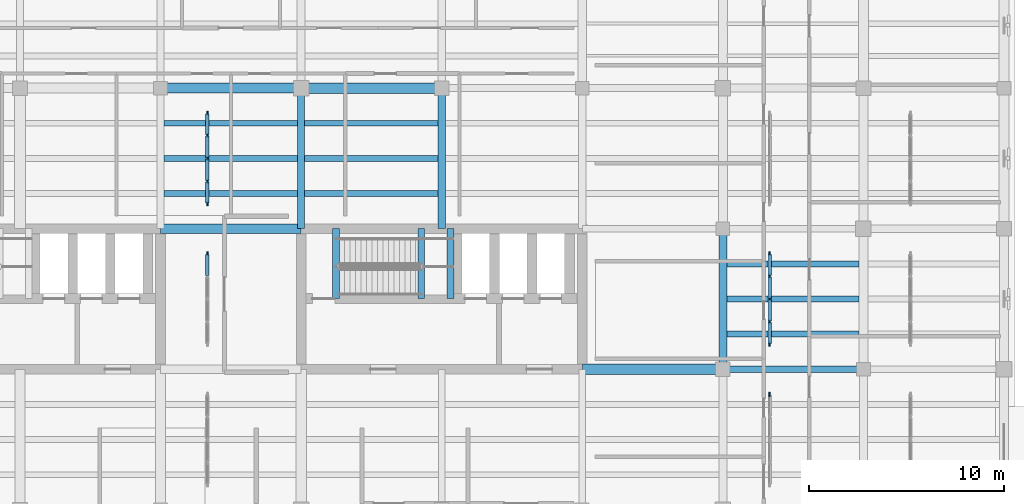
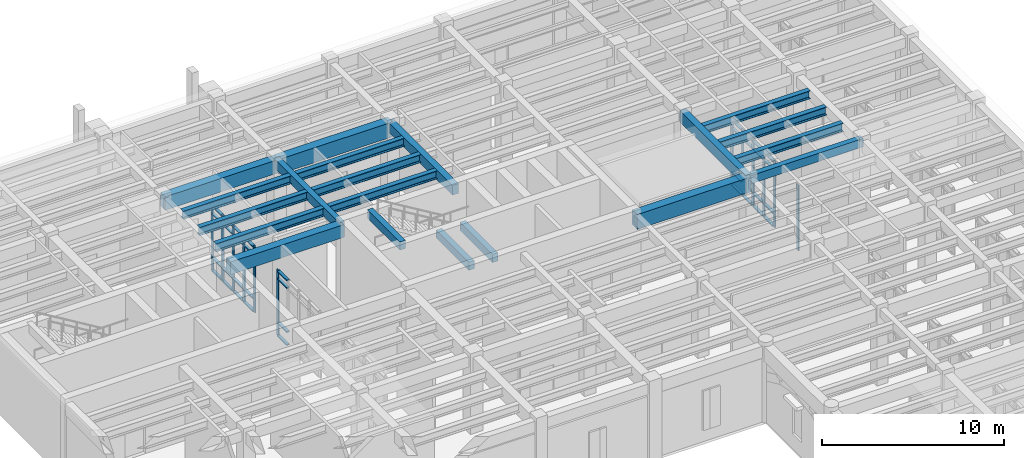
# One storey, part 46 of 100: 48 members, 20 beams, 4 elements without a shape of their own.
"""IFC4 building model written with IfcOpenShell, lengths in metres."""

from ifc_helpers import new_model, si_unit, direction, frame, origin, origin_2d, place, context, subcontext, project, spatial, rectangle, i_section, extrude, material, material_profile, profile_set, type_object, element, aggregate, save


model = new_model("IFC4")

# Units and contexts
model_context = context("Model", 3, precision=1e-05, world=origin(), true_north=direction((0.0, 1.0)))
body_context = subcontext(model_context, "Body", "Model", "MODEL_VIEW")
ifc_project = project(units=[si_unit("LENGTHUNIT", "METRE"), si_unit("AREAUNIT", "SQUARE_METRE"), si_unit("VOLUMEUNIT", "CUBIC_METRE"), si_unit("PLANEANGLEUNIT", "RADIAN"), si_unit("MASSUNIT", "GRAM", prefix="KILO")], contexts=[model_context])

# Site, building, storey
site_placement = place(None, origin())
site = spatial("IfcSite", under=ifc_project, at=site_placement, CompositionType="ELEMENT")
building_placement = place(site_placement, origin())
building = spatial("IfcBuilding", under=site, at=building_placement, Name="Mithqara Police Headquarters", CompositionType="ELEMENT")
storey_placement = place(building_placement, origin())
storey = spatial("IfcBuildingStorey", under=building, at=storey_placement, Name="L00", CompositionType="ELEMENT", Elevation=0.0)

# Beams
ifc_material_1 = material(Name="Steel S355JR", Category="steel")
ifc_material_profile_1 = material_profile(ifc_material_1, i_section(OverallWidth=0.300048828125, OverallDepth=0.550048828125, WebThickness=0.014892578125, FlangeThickness=0.029052734375, FilletRadius=0.027099609375, at=origin_2d()), Name="HEB 550")
ifc_profile_set_1 = profile_set([ifc_material_profile_1], Name="Steel S355JR")
beam_type_1 = type_object("IfcBeamType", Name="BEAM HEB550", PredefinedType="BEAM", material=ifc_profile_set_1)
for number, where, z_axis, x_axis, name in (
    (1, (123.175048828125, 102.0, 4.844970703125), (1.0, 0.0, 0.0), (0.0, 1.0, 0.0), "L00 Composite Steel Joist 18-19/Q.1"),
    (2, (123.175048828125, 103.800048828125, 4.844970703125), (1.0, 0.0, 0.0), (0.0, 1.0, 0.0), "L00 Composite Steel Joist 18-19/Q.2"),
    (3, (123.175048828125, 105.60009765625, 4.844970703125), (1.0, 0.0, 0.0), (0.0, 1.0, 0.0), "L00 Composite Steel Joist 18-19/Q.3"),
):
    element("IfcBeam", number, at=place(storey_placement, frame(where, z_axis=z_axis, x_axis=x_axis)), inside=storey, type_object=beam_type_1, Name=name, PredefinedType="BEAM", context=body_context, shape_type="SweptSolid", body=[
        extrude(i_section(OverallWidth=0.300048828125, OverallDepth=0.550048828125, WebThickness=0.014892578125, FlangeThickness=0.029052734375, FilletRadius=0.027099609375, at=origin_2d()), origin(), (0.0, 0.0, 1.0), 6.849853515625),
    ])
for number, where, z_axis, x_axis, name in (
    (4, (130.375, 102.0, 4.844970703125), (1.0, 0.0, 0.0), (0.0, 1.0, 0.0), "L00 Composite Steel Joist 19-20/Q.1"),
    (5, (130.375, 103.800048828125, 4.844970703125), (1.0, 0.0, 0.0), (0.0, 1.0, 0.0), "L00 Composite Steel Joist 19-20/Q.2"),
    (6, (130.375, 105.60009765625, 4.844970703125), (1.0, 0.0, 0.0), (0.0, 1.0, 0.0), "L00 Composite Steel Joist 19-20/Q.3"),
):
    element("IfcBeam", number, at=place(storey_placement, frame(where, z_axis=z_axis, x_axis=x_axis)), inside=storey, type_object=beam_type_1, Name=name, PredefinedType="BEAM", context=body_context, shape_type="SweptSolid", body=[
        extrude(i_section(OverallWidth=0.300048828125, OverallDepth=0.550048828125, WebThickness=0.014892578125, FlangeThickness=0.029052734375, FilletRadius=0.027099609375, at=origin_2d()), origin(), (0.0, 0.0, 1.0), 6.824951171875),
    ])
for number, where, z_axis, x_axis, name in (
    (7, (152.0, 94.800048828125, 4.844970703125), (1.0, 0.0, 0.0), (0.0, 1.0, 0.0), "L00 Composite Steel Joist 22-23/P.1"),
    (8, (152.0, 96.60009765625, 4.844970703125), (1.0, 0.0, 0.0), (0.0, 1.0, 0.0), "L00 Composite Steel Joist 22-23/P.2"),
    (9, (152.0, 98.39990234375, 4.844970703125), (1.0, 0.0, 0.0), (0.0, 1.0, 0.0), "L00 Composite Steel Joist 22-23/P.3"),
):
    element("IfcBeam", number, at=place(storey_placement, frame(where, z_axis=z_axis, x_axis=x_axis)), inside=storey, type_object=beam_type_1, Name=name, PredefinedType="BEAM", context=body_context, shape_type="SweptSolid", body=[
        extrude(i_section(OverallWidth=0.300048828125, OverallDepth=0.550048828125, WebThickness=0.014892578125, FlangeThickness=0.029052734375, FilletRadius=0.027099609375, at=origin_2d()), origin(), (0.0, 0.0, 1.0), 6.77490234375),
    ])
ifc_material_2 = material(Name="Concrete C40/50", Category="concrete")
ifc_material_profile_2 = material_profile(ifc_material_2, rectangle(XDim=0.35009765625, YDim=0.550048828125, at=origin_2d()), Name="RC 350x550")
ifc_profile_set_2 = profile_set([ifc_material_profile_2], Name="Concrete C40/50")
beam_type_2 = type_object("IfcBeamType", Name="BEAM RC350X550", PredefinedType="BEAM", material=ifc_profile_set_2)
beam_1_placement = place(storey_placement, frame((151.800048828125, 93.0, 4.844970703125), z_axis=(1.0, 0.0, 0.0), x_axis=(0.0, 1.0, 0.0)))
element("IfcBeam", 10, at=beam_1_placement, inside=storey, type_object=beam_type_2, Name="L00 Girder 22-23/P", PredefinedType="BEAM", context=body_context, shape_type="SweptSolid", body=[
    extrude(rectangle(XDim=0.35009765625, YDim=0.550048828125, at=origin_2d()), origin(), (0.0, 0.0, 1.0), 7.199951171875),
])
for number, where, z_axis, x_axis, name in (
    (11, (136.35009765625, 96.6201171875, 2.235107421875), (0.0, 1.0, 0.0), (-1.0, 0.0, 0.0), "L00 ST-02 Half-Landing Bearer LF"),
    (12, (137.85009765625, 96.6201171875, 2.235107421875), (0.0, 1.0, 0.0), (-1.0, 0.0, 0.0), "L00 ST-02 Half-Landing Bearer LB"),
    (13, (131.97705078125, 96.6201171875, 5.125), (0.0, 1.0, 0.0), (-1.0, 0.0, 0.0), "L00 ST-02 Stairwell Trimmer Beam"),
):
    element("IfcBeam", number, at=place(storey_placement, frame(where, z_axis=z_axis, x_axis=x_axis)), inside=storey, type_object=beam_type_2, Name=name, PredefinedType="BEAM", context=body_context, shape_type="SweptSolid", body=[
        extrude(rectangle(XDim=0.35009765625, YDim=0.550048828125, at=origin_2d()), origin(), (0.0, 0.0, 1.0), 3.579833984375),
    ])
ifc_material_profile_3 = material_profile(ifc_material_2, rectangle(XDim=0.35009765625, YDim=0.60009765625, at=origin_2d()), Name="RC 350x600")
ifc_profile_set_3 = profile_set([ifc_material_profile_3], Name="Concrete C40/50")
beam_type_3 = type_object("IfcBeamType", Name="BEAM RC350X600", PredefinedType="BEAM", material=ifc_profile_set_3)
beam_2_placement = place(storey_placement, frame((130.199951171875, 100.199951171875, 4.820068359375), z_axis=(0.0, 1.0, 0.0), x_axis=(-1.0, 0.0, 0.0)))
element("IfcBeam", 14, at=beam_2_placement, inside=storey, type_object=beam_type_3, Name="L00 Girder 19/Q-R", PredefinedType="BEAM", context=body_context, shape_type="SweptSolid", body=[
    extrude(rectangle(XDim=0.35009765625, YDim=0.60009765625, at=origin_2d()), origin(), (0.0, 0.0, 1.0), 7.199951171875),
])
ifc_material_profile_4 = material_profile(ifc_material_2, rectangle(XDim=0.39990234375, YDim=0.64990234375, at=origin_2d()), Name="RC 400x650")
ifc_profile_set_4 = profile_set([ifc_material_profile_4], Name="Concrete C40/50")
beam_type_4 = type_object("IfcBeamType", Name="BEAM RC400X650", PredefinedType="BEAM", material=ifc_profile_set_4)
beam_3_placement = place(storey_placement, frame((137.39990234375, 100.199951171875, 4.794921875), z_axis=(0.0, 1.0, 0.0), x_axis=(-1.0, 0.0, 0.0)))
element("IfcBeam", 15, at=beam_3_placement, inside=storey, type_object=beam_type_4, Name="L00 Girder 20/Q-R", PredefinedType="BEAM", context=body_context, shape_type="SweptSolid", body=[
    extrude(rectangle(XDim=0.39990234375, YDim=0.64990234375, at=origin_2d()), origin(), (0.0, 0.0, 1.0), 7.199951171875),
])
ifc_material_profile_5 = material_profile(ifc_material_2, rectangle(XDim=0.39990234375, YDim=0.75, at=origin_2d()), Name="RC 400x750")
ifc_profile_set_5 = profile_set([ifc_material_profile_5], Name="Concrete C40/50")
beam_type_5 = type_object("IfcBeamType", Name="BEAM RC400X750", PredefinedType="BEAM", material=ifc_profile_set_5)
beam_4_placement = place(storey_placement, frame((151.800048828125, 93.0, 4.7451171875), z_axis=(0.0, 1.0, 0.0), x_axis=(-1.0, 0.0, 0.0)))
element("IfcBeam", 16, at=beam_4_placement, inside=storey, type_object=beam_type_5, Name="L00 Girder 22/P-Q", PredefinedType="BEAM", context=body_context, shape_type="SweptSolid", body=[
    extrude(rectangle(XDim=0.39990234375, YDim=0.75, at=origin_2d()), origin(), (0.0, 0.0, 1.0), 7.199951171875),
])
ifc_material_profile_6 = material_profile(ifc_material_2, rectangle(XDim=0.5, YDim=0.85009765625, at=origin_2d()), Name="RC 500x850")
ifc_profile_set_6 = profile_set([ifc_material_profile_6], Name="Concrete C40/50")
beam_type_6 = type_object("IfcBeamType", Name="BEAM RC500X850", PredefinedType="BEAM", material=ifc_profile_set_6)
beam_5_placement = place(storey_placement, frame((123.0, 100.199951171875, 4.695068359375), z_axis=(1.0, 0.0, 0.0), x_axis=(0.0, 1.0, 0.0)))
element("IfcBeam", 17, at=beam_5_placement, inside=storey, type_object=beam_type_6, Name="L00 Girder 18-19/Q", PredefinedType="BEAM", context=body_context, shape_type="SweptSolid", body=[
    extrude(rectangle(XDim=0.5, YDim=0.85009765625, at=origin_2d()), origin(), (0.0, 0.0, 1.0), 7.199951171875),
])
ifc_material_3 = material(Name="Concrete C50/60", Category="concrete")
ifc_material_profile_7 = material_profile(ifc_material_3, rectangle(XDim=0.5, YDim=0.89990234375, at=origin_2d()), Name="RC 500x900")
ifc_profile_set_7 = profile_set([ifc_material_profile_7], Name="Concrete C50/60")
beam_type_7 = type_object("IfcBeamType", Name="BEAM RC500X900", PredefinedType="BEAM", material=ifc_profile_set_7)
beam_6_placement = place(storey_placement, frame((123.0, 107.39990234375, 4.669921875), z_axis=(1.0, 0.0, 0.0), x_axis=(0.0, 1.0, 0.0)))
element("IfcBeam", 18, at=beam_6_placement, inside=storey, type_object=beam_type_7, Name="L00 Girder 18-19/R", PredefinedType="BEAM", context=body_context, shape_type="SweptSolid", body=[
    extrude(rectangle(XDim=0.5, YDim=0.89990234375, at=origin_2d()), origin(), (0.0, 0.0, 1.0), 7.199951171875),
])
ifc_material_profile_8 = material_profile(ifc_material_3, rectangle(XDim=0.550048828125, YDim=1.0, at=origin_2d()), Name="RC 550x1000")
ifc_profile_set_8 = profile_set([ifc_material_profile_8], Name="Concrete C50/60")
beam_type_8 = type_object("IfcBeamType", Name="BEAM RC550X1000", PredefinedType="BEAM", material=ifc_profile_set_8)
for number, where, z_axis, x_axis, name in (
    (19, (130.199951171875, 107.39990234375, 4.6201171875), (1.0, 0.0, 0.0), (0.0, 1.0, 0.0), "L00 Girder 19-20/R"),
    (20, (144.60009765625, 93.0, 4.6201171875), (1.0, 0.0, 0.0), (0.0, 1.0, 0.0), "L00 Girder 21-22/P"),
):
    element("IfcBeam", number, at=place(storey_placement, frame(where, z_axis=z_axis, x_axis=x_axis)), inside=storey, type_object=beam_type_8, Name=name, PredefinedType="BEAM", context=body_context, shape_type="SweptSolid", body=[
        extrude(rectangle(XDim=0.550048828125, YDim=1.0, at=origin_2d()), origin(), (0.0, 0.0, 1.0), 7.199951171875),
    ])

# Curtain wall, member
ifc_material_4 = material(Name="Bronze anodised aluminium 6063-T6", Category="aluminium")
curtain_wall_type = type_object("IfcCurtainWallType", Name="CURTAIN WALL 4700X4400", PredefinedType="USERDEFINED", material=ifc_material_4)
curtain_wall_1_placement = place(storey_placement, origin())
curtain_wall_1 = element("IfcCurtainWall", 21, at=curtain_wall_1_placement, inside=storey, type_object=curtain_wall_type, Name="L00 Unitised Glazing CW-14 (CW-INT-L00-X17-Y13-0)", ObjectType="UNITISED GLAZING", PredefinedType="USERDEFINED")
ifc_material_profile_9 = material_profile(ifc_material_4, rectangle(XDim=0.074951171875, YDim=0.219970703125, at=origin_2d()), Name="CWM 75x220")
ifc_profile_set_9 = profile_set([ifc_material_profile_9], Name="Bronze anodised aluminium 6063-T6")
member_type_1 = type_object("IfcMemberType", Name="CWMULLION 75X220", PredefinedType="MULLION", material=ifc_profile_set_9)
member_1_placement = place(storey_placement, frame((125.39990234375, 98.91259765625, 0.0), z_axis=(0.0, 0.0, 1.0), x_axis=(-1.0, 0.0, 0.0)))
member_1 = element("IfcMember", 22, at=member_1_placement, type_object=member_type_1, Name="CW-14 mullion 5", PredefinedType="MULLION", context=body_context, shape_type="SweptSolid", body=[
    extrude(rectangle(XDim=0.074951171875, YDim=0.219970703125, at=origin_2d()), origin(), (0.0, 0.0, 1.0), 4.39990234375),
])

# Curtain wall, members
curtain_wall_2_placement = place(storey_placement, origin())
curtain_wall_2 = element("IfcCurtainWall", 23, at=curtain_wall_2_placement, inside=storey, type_object=curtain_wall_type, Name="L00 Unitised Glazing CW-14 (CW-INT-L00-X17-Y14-0)", ObjectType="UNITISED GLAZING", PredefinedType="USERDEFINED")
member_2_placement = place(storey_placement, frame((125.39990234375, 101.487548828125, 0.0), z_axis=(0.0, 0.0, 1.0), x_axis=(-1.0, 0.0, 0.0)))
member_2 = element("IfcMember", 24, at=member_2_placement, type_object=member_type_1, Name="CW-14 mullion 1", PredefinedType="MULLION", context=body_context, shape_type="SweptSolid", body=[
    extrude(rectangle(XDim=0.074951171875, YDim=0.219970703125, at=origin_2d()), origin(), (0.0, 0.0, 1.0), 4.39990234375),
])
member_3_placement = place(storey_placement, frame((125.39990234375, 102.625, 0.0), z_axis=(0.0, 0.0, 1.0), x_axis=(-1.0, 0.0, 0.0)))
member_3 = element("IfcMember", 25, at=member_3_placement, type_object=member_type_1, Name="CW-14 mullion 2", PredefinedType="MULLION", context=body_context, shape_type="SweptSolid", body=[
    extrude(rectangle(XDim=0.074951171875, YDim=0.219970703125, at=origin_2d()), origin(), (0.0, 0.0, 1.0), 4.39990234375),
])
member_4_placement = place(storey_placement, frame((125.39990234375, 103.800048828125, 0.0), z_axis=(0.0, 0.0, 1.0), x_axis=(-1.0, 0.0, 0.0)))
member_4 = element("IfcMember", 26, at=member_4_placement, type_object=member_type_1, Name="CW-14 mullion 3", PredefinedType="MULLION", context=body_context, shape_type="SweptSolid", body=[
    extrude(rectangle(XDim=0.074951171875, YDim=0.219970703125, at=origin_2d()), origin(), (0.0, 0.0, 1.0), 4.39990234375),
])
member_5_placement = place(storey_placement, frame((125.39990234375, 104.97509765625, 0.0), z_axis=(0.0, 0.0, 1.0), x_axis=(-1.0, 0.0, 0.0)))
member_5 = element("IfcMember", 27, at=member_5_placement, type_object=member_type_1, Name="CW-14 mullion 4", PredefinedType="MULLION", context=body_context, shape_type="SweptSolid", body=[
    extrude(rectangle(XDim=0.074951171875, YDim=0.219970703125, at=origin_2d()), origin(), (0.0, 0.0, 1.0), 4.39990234375),
])
member_6_placement = place(storey_placement, frame((125.39990234375, 106.112548828125, 0.0), z_axis=(0.0, 0.0, 1.0), x_axis=(-1.0, 0.0, 0.0)))
member_6 = element("IfcMember", 28, at=member_6_placement, type_object=member_type_1, Name="CW-14 mullion 5", PredefinedType="MULLION", context=body_context, shape_type="SweptSolid", body=[
    extrude(rectangle(XDim=0.074951171875, YDim=0.219970703125, at=origin_2d()), origin(), (0.0, 0.0, 1.0), 4.39990234375),
])

# Curtain wall, member
curtain_wall_3_placement = place(storey_placement, origin())
curtain_wall_3 = element("IfcCurtainWall", 29, at=curtain_wall_3_placement, inside=storey, type_object=curtain_wall_type, Name="L00 Unitised Glazing CW-14 (CW-INT-L00-X21-Y12-0)", ObjectType="UNITISED GLAZING", PredefinedType="USERDEFINED")
member_7_placement = place(storey_placement, frame((154.199951171875, 91.71240234375, 0.0), z_axis=(0.0, 0.0, 1.0), x_axis=(-1.0, 0.0, 0.0)))
member_7 = element("IfcMember", 30, at=member_7_placement, type_object=member_type_1, Name="CW-14 mullion 5", PredefinedType="MULLION", context=body_context, shape_type="SweptSolid", body=[
    extrude(rectangle(XDim=0.074951171875, YDim=0.219970703125, at=origin_2d()), origin(), (0.0, 0.0, 1.0), 4.39990234375),
])
aggregate(curtain_wall_3, [member_7])

# Curtain wall, members
curtain_wall_4_placement = place(storey_placement, origin())
curtain_wall_4 = element("IfcCurtainWall", 31, at=curtain_wall_4_placement, inside=storey, type_object=curtain_wall_type, Name="L00 Unitised Glazing CW-14 (CW-INT-L00-X21-Y13-0)", ObjectType="UNITISED GLAZING", PredefinedType="USERDEFINED")
member_8_placement = place(storey_placement, frame((154.199951171875, 94.28759765625, 0.0), z_axis=(0.0, 0.0, 1.0), x_axis=(-1.0, 0.0, 0.0)))
member_8 = element("IfcMember", 32, at=member_8_placement, type_object=member_type_1, Name="CW-14 mullion 1", PredefinedType="MULLION", context=body_context, shape_type="SweptSolid", body=[
    extrude(rectangle(XDim=0.074951171875, YDim=0.219970703125, at=origin_2d()), origin(), (0.0, 0.0, 1.0), 4.39990234375),
])
member_9_placement = place(storey_placement, frame((154.199951171875, 95.425048828125, 0.0), z_axis=(0.0, 0.0, 1.0), x_axis=(-1.0, 0.0, 0.0)))
member_9 = element("IfcMember", 33, at=member_9_placement, type_object=member_type_1, Name="CW-14 mullion 2", PredefinedType="MULLION", context=body_context, shape_type="SweptSolid", body=[
    extrude(rectangle(XDim=0.074951171875, YDim=0.219970703125, at=origin_2d()), origin(), (0.0, 0.0, 1.0), 4.39990234375),
])
member_10_placement = place(storey_placement, frame((154.199951171875, 96.60009765625, 0.0), z_axis=(0.0, 0.0, 1.0), x_axis=(-1.0, 0.0, 0.0)))
member_10 = element("IfcMember", 34, at=member_10_placement, type_object=member_type_1, Name="CW-14 mullion 3", PredefinedType="MULLION", context=body_context, shape_type="SweptSolid", body=[
    extrude(rectangle(XDim=0.074951171875, YDim=0.219970703125, at=origin_2d()), origin(), (0.0, 0.0, 1.0), 4.39990234375),
])
member_11_placement = place(storey_placement, frame((154.199951171875, 97.77490234375, 0.0), z_axis=(0.0, 0.0, 1.0), x_axis=(-1.0, 0.0, 0.0)))
member_11 = element("IfcMember", 35, at=member_11_placement, type_object=member_type_1, Name="CW-14 mullion 4", PredefinedType="MULLION", context=body_context, shape_type="SweptSolid", body=[
    extrude(rectangle(XDim=0.074951171875, YDim=0.219970703125, at=origin_2d()), origin(), (0.0, 0.0, 1.0), 4.39990234375),
])
member_12_placement = place(storey_placement, frame((154.199951171875, 98.91259765625, 0.0), z_axis=(0.0, 0.0, 1.0), x_axis=(-1.0, 0.0, 0.0)))
member_12 = element("IfcMember", 36, at=member_12_placement, type_object=member_type_1, Name="CW-14 mullion 5", PredefinedType="MULLION", context=body_context, shape_type="SweptSolid", body=[
    extrude(rectangle(XDim=0.074951171875, YDim=0.219970703125, at=origin_2d()), origin(), (0.0, 0.0, 1.0), 4.39990234375),
])

# Member
ifc_material_profile_10 = material_profile(ifc_material_4, rectangle(XDim=0.179931640625, YDim=0.074951171875, at=origin_2d()), Name="CWT 180x75")
ifc_profile_set_10 = profile_set([ifc_material_profile_10], Name="Bronze anodised aluminium 6063-T6")
member_type_2 = type_object("IfcMemberType", Name="CWTRANSOM 180X75", PredefinedType="USERDEFINED", material=ifc_profile_set_10)
member_13_placement = place(storey_placement, frame((125.39990234375, 97.8125, 0.03759765625), z_axis=(0.0, 1.0, 0.0), x_axis=(-1.0, 0.0, 0.0)))
member_13 = element("IfcMember", 37, at=member_13_placement, type_object=member_type_2, Name="CW-14 transom 4.1", ObjectType="TRANSOM", PredefinedType="USERDEFINED", context=body_context, shape_type="SweptSolid", body=[
    extrude(rectangle(XDim=0.179931640625, YDim=0.074951171875, at=origin_2d()), origin(), (0.0, 0.0, 1.0), 1.0625),
])

member_14_placement = place(storey_placement, frame((125.39990234375, 97.8125, 0.89990234375), z_axis=(0.0, 1.0, 0.0), x_axis=(-1.0, 0.0, 0.0)))
member_14 = element("IfcMember", 38, at=member_14_placement, type_object=member_type_2, Name="CW-14 transom 4.2", ObjectType="TRANSOM", PredefinedType="USERDEFINED", context=body_context, shape_type="SweptSolid", body=[
    extrude(rectangle(XDim=0.179931640625, YDim=0.074951171875, at=origin_2d()), origin(), (0.0, 0.0, 1.0), 1.0625),
])

member_15_placement = place(storey_placement, frame((125.39990234375, 97.8125, 3.85009765625), z_axis=(0.0, 1.0, 0.0), x_axis=(-1.0, 0.0, 0.0)))
member_15 = element("IfcMember", 39, at=member_15_placement, type_object=member_type_2, Name="CW-14 transom 4.3", ObjectType="TRANSOM", PredefinedType="USERDEFINED", context=body_context, shape_type="SweptSolid", body=[
    extrude(rectangle(XDim=0.179931640625, YDim=0.074951171875, at=origin_2d()), origin(), (0.0, 0.0, 1.0), 1.0625),
])

member_16_placement = place(storey_placement, frame((125.39990234375, 97.8125, 4.362548828125), z_axis=(0.0, 1.0, 0.0), x_axis=(-1.0, 0.0, 0.0)))
member_16 = element("IfcMember", 40, at=member_16_placement, type_object=member_type_2, Name="CW-14 transom 4.4", ObjectType="TRANSOM", PredefinedType="USERDEFINED", context=body_context, shape_type="SweptSolid", body=[
    extrude(rectangle(XDim=0.179931640625, YDim=0.074951171875, at=origin_2d()), origin(), (0.0, 0.0, 1.0), 1.0625),
])

aggregate(curtain_wall_1, [member_1, member_13, member_14, member_15, member_16])

member_17_placement = place(storey_placement, frame((125.39990234375, 101.52490234375, 0.03759765625), z_axis=(0.0, 1.0, 0.0), x_axis=(-1.0, 0.0, 0.0)))
member_17 = element("IfcMember", 41, at=member_17_placement, type_object=member_type_2, Name="CW-14 transom 1.1", ObjectType="TRANSOM", PredefinedType="USERDEFINED", context=body_context, shape_type="SweptSolid", body=[
    extrude(rectangle(XDim=0.179931640625, YDim=0.074951171875, at=origin_2d()), origin(), (0.0, 0.0, 1.0), 1.0625),
])

member_18_placement = place(storey_placement, frame((125.39990234375, 101.52490234375, 0.89990234375), z_axis=(0.0, 1.0, 0.0), x_axis=(-1.0, 0.0, 0.0)))
member_18 = element("IfcMember", 42, at=member_18_placement, type_object=member_type_2, Name="CW-14 transom 1.2", ObjectType="TRANSOM", PredefinedType="USERDEFINED", context=body_context, shape_type="SweptSolid", body=[
    extrude(rectangle(XDim=0.179931640625, YDim=0.074951171875, at=origin_2d()), origin(), (0.0, 0.0, 1.0), 1.0625),
])

member_19_placement = place(storey_placement, frame((125.39990234375, 101.52490234375, 3.85009765625), z_axis=(0.0, 1.0, 0.0), x_axis=(-1.0, 0.0, 0.0)))
member_19 = element("IfcMember", 43, at=member_19_placement, type_object=member_type_2, Name="CW-14 transom 1.3", ObjectType="TRANSOM", PredefinedType="USERDEFINED", context=body_context, shape_type="SweptSolid", body=[
    extrude(rectangle(XDim=0.179931640625, YDim=0.074951171875, at=origin_2d()), origin(), (0.0, 0.0, 1.0), 1.0625),
])

member_20_placement = place(storey_placement, frame((125.39990234375, 101.52490234375, 4.362548828125), z_axis=(0.0, 1.0, 0.0), x_axis=(-1.0, 0.0, 0.0)))
member_20 = element("IfcMember", 44, at=member_20_placement, type_object=member_type_2, Name="CW-14 transom 1.4", ObjectType="TRANSOM", PredefinedType="USERDEFINED", context=body_context, shape_type="SweptSolid", body=[
    extrude(rectangle(XDim=0.179931640625, YDim=0.074951171875, at=origin_2d()), origin(), (0.0, 0.0, 1.0), 1.0625),
])

member_21_placement = place(storey_placement, frame((125.39990234375, 102.66259765625, 0.03759765625), z_axis=(0.0, 1.0, 0.0), x_axis=(-1.0, 0.0, 0.0)))
member_21 = element("IfcMember", 45, at=member_21_placement, type_object=member_type_2, Name="CW-14 transom 2.1", ObjectType="TRANSOM", PredefinedType="USERDEFINED", context=body_context, shape_type="SweptSolid", body=[
    extrude(rectangle(XDim=0.179931640625, YDim=0.074951171875, at=origin_2d()), origin(), (0.0, 0.0, 1.0), 1.099853515625),
])

member_22_placement = place(storey_placement, frame((125.39990234375, 102.66259765625, 0.89990234375), z_axis=(0.0, 1.0, 0.0), x_axis=(-1.0, 0.0, 0.0)))
member_22 = element("IfcMember", 46, at=member_22_placement, type_object=member_type_2, Name="CW-14 transom 2.2", ObjectType="TRANSOM", PredefinedType="USERDEFINED", context=body_context, shape_type="SweptSolid", body=[
    extrude(rectangle(XDim=0.179931640625, YDim=0.074951171875, at=origin_2d()), origin(), (0.0, 0.0, 1.0), 1.099853515625),
])

member_23_placement = place(storey_placement, frame((125.39990234375, 102.66259765625, 3.85009765625), z_axis=(0.0, 1.0, 0.0), x_axis=(-1.0, 0.0, 0.0)))
member_23 = element("IfcMember", 47, at=member_23_placement, type_object=member_type_2, Name="CW-14 transom 2.3", ObjectType="TRANSOM", PredefinedType="USERDEFINED", context=body_context, shape_type="SweptSolid", body=[
    extrude(rectangle(XDim=0.179931640625, YDim=0.074951171875, at=origin_2d()), origin(), (0.0, 0.0, 1.0), 1.099853515625),
])

member_24_placement = place(storey_placement, frame((125.39990234375, 102.66259765625, 4.362548828125), z_axis=(0.0, 1.0, 0.0), x_axis=(-1.0, 0.0, 0.0)))
member_24 = element("IfcMember", 48, at=member_24_placement, type_object=member_type_2, Name="CW-14 transom 2.4", ObjectType="TRANSOM", PredefinedType="USERDEFINED", context=body_context, shape_type="SweptSolid", body=[
    extrude(rectangle(XDim=0.179931640625, YDim=0.074951171875, at=origin_2d()), origin(), (0.0, 0.0, 1.0), 1.099853515625),
])

member_25_placement = place(storey_placement, frame((125.39990234375, 103.83740234375, 0.03759765625), z_axis=(0.0, 1.0, 0.0), x_axis=(-1.0, 0.0, 0.0)))
member_25 = element("IfcMember", 49, at=member_25_placement, type_object=member_type_2, Name="CW-14 transom 3.1", ObjectType="TRANSOM", PredefinedType="USERDEFINED", context=body_context, shape_type="SweptSolid", body=[
    extrude(rectangle(XDim=0.179931640625, YDim=0.074951171875, at=origin_2d()), origin(), (0.0, 0.0, 1.0), 1.10009765625),
])

member_26_placement = place(storey_placement, frame((125.39990234375, 103.83740234375, 0.89990234375), z_axis=(0.0, 1.0, 0.0), x_axis=(-1.0, 0.0, 0.0)))
member_26 = element("IfcMember", 50, at=member_26_placement, type_object=member_type_2, Name="CW-14 transom 3.2", ObjectType="TRANSOM", PredefinedType="USERDEFINED", context=body_context, shape_type="SweptSolid", body=[
    extrude(rectangle(XDim=0.179931640625, YDim=0.074951171875, at=origin_2d()), origin(), (0.0, 0.0, 1.0), 1.10009765625),
])

member_27_placement = place(storey_placement, frame((125.39990234375, 103.83740234375, 3.85009765625), z_axis=(0.0, 1.0, 0.0), x_axis=(-1.0, 0.0, 0.0)))
member_27 = element("IfcMember", 51, at=member_27_placement, type_object=member_type_2, Name="CW-14 transom 3.3", ObjectType="TRANSOM", PredefinedType="USERDEFINED", context=body_context, shape_type="SweptSolid", body=[
    extrude(rectangle(XDim=0.179931640625, YDim=0.074951171875, at=origin_2d()), origin(), (0.0, 0.0, 1.0), 1.10009765625),
])

member_28_placement = place(storey_placement, frame((125.39990234375, 103.83740234375, 4.362548828125), z_axis=(0.0, 1.0, 0.0), x_axis=(-1.0, 0.0, 0.0)))
member_28 = element("IfcMember", 52, at=member_28_placement, type_object=member_type_2, Name="CW-14 transom 3.4", ObjectType="TRANSOM", PredefinedType="USERDEFINED", context=body_context, shape_type="SweptSolid", body=[
    extrude(rectangle(XDim=0.179931640625, YDim=0.074951171875, at=origin_2d()), origin(), (0.0, 0.0, 1.0), 1.10009765625),
])

member_29_placement = place(storey_placement, frame((125.39990234375, 105.012451171875, 0.03759765625), z_axis=(0.0, 1.0, 0.0), x_axis=(-1.0, 0.0, 0.0)))
member_29 = element("IfcMember", 53, at=member_29_placement, type_object=member_type_2, Name="CW-14 transom 4.1", ObjectType="TRANSOM", PredefinedType="USERDEFINED", context=body_context, shape_type="SweptSolid", body=[
    extrude(rectangle(XDim=0.179931640625, YDim=0.074951171875, at=origin_2d()), origin(), (0.0, 0.0, 1.0), 1.0625),
])

member_30_placement = place(storey_placement, frame((125.39990234375, 105.012451171875, 0.89990234375), z_axis=(0.0, 1.0, 0.0), x_axis=(-1.0, 0.0, 0.0)))
member_30 = element("IfcMember", 54, at=member_30_placement, type_object=member_type_2, Name="CW-14 transom 4.2", ObjectType="TRANSOM", PredefinedType="USERDEFINED", context=body_context, shape_type="SweptSolid", body=[
    extrude(rectangle(XDim=0.179931640625, YDim=0.074951171875, at=origin_2d()), origin(), (0.0, 0.0, 1.0), 1.0625),
])

member_31_placement = place(storey_placement, frame((125.39990234375, 105.012451171875, 3.85009765625), z_axis=(0.0, 1.0, 0.0), x_axis=(-1.0, 0.0, 0.0)))
member_31 = element("IfcMember", 55, at=member_31_placement, type_object=member_type_2, Name="CW-14 transom 4.3", ObjectType="TRANSOM", PredefinedType="USERDEFINED", context=body_context, shape_type="SweptSolid", body=[
    extrude(rectangle(XDim=0.179931640625, YDim=0.074951171875, at=origin_2d()), origin(), (0.0, 0.0, 1.0), 1.0625),
])

member_32_placement = place(storey_placement, frame((125.39990234375, 105.012451171875, 4.362548828125), z_axis=(0.0, 1.0, 0.0), x_axis=(-1.0, 0.0, 0.0)))
member_32 = element("IfcMember", 56, at=member_32_placement, type_object=member_type_2, Name="CW-14 transom 4.4", ObjectType="TRANSOM", PredefinedType="USERDEFINED", context=body_context, shape_type="SweptSolid", body=[
    extrude(rectangle(XDim=0.179931640625, YDim=0.074951171875, at=origin_2d()), origin(), (0.0, 0.0, 1.0), 1.0625),
])

aggregate(curtain_wall_2, [member_2, member_3, member_4, member_5, member_6, member_17, member_18, member_19, member_20, member_21, member_22, member_23, member_24, member_25, member_26, member_27, member_28, member_29, member_30, member_31, member_32])

member_33_placement = place(storey_placement, frame((154.199951171875, 94.324951171875, 0.03759765625), z_axis=(0.0, 1.0, 0.0), x_axis=(-1.0, 0.0, 0.0)))
member_33 = element("IfcMember", 57, at=member_33_placement, type_object=member_type_2, Name="CW-14 transom 1.1", ObjectType="TRANSOM", PredefinedType="USERDEFINED", context=body_context, shape_type="SweptSolid", body=[
    extrude(rectangle(XDim=0.179931640625, YDim=0.074951171875, at=origin_2d()), origin(), (0.0, 0.0, 1.0), 1.0625),
])

member_34_placement = place(storey_placement, frame((154.199951171875, 94.324951171875, 0.89990234375), z_axis=(0.0, 1.0, 0.0), x_axis=(-1.0, 0.0, 0.0)))
member_34 = element("IfcMember", 58, at=member_34_placement, type_object=member_type_2, Name="CW-14 transom 1.2", ObjectType="TRANSOM", PredefinedType="USERDEFINED", context=body_context, shape_type="SweptSolid", body=[
    extrude(rectangle(XDim=0.179931640625, YDim=0.074951171875, at=origin_2d()), origin(), (0.0, 0.0, 1.0), 1.0625),
])

member_35_placement = place(storey_placement, frame((154.199951171875, 94.324951171875, 3.85009765625), z_axis=(0.0, 1.0, 0.0), x_axis=(-1.0, 0.0, 0.0)))
member_35 = element("IfcMember", 59, at=member_35_placement, type_object=member_type_2, Name="CW-14 transom 1.3", ObjectType="TRANSOM", PredefinedType="USERDEFINED", context=body_context, shape_type="SweptSolid", body=[
    extrude(rectangle(XDim=0.179931640625, YDim=0.074951171875, at=origin_2d()), origin(), (0.0, 0.0, 1.0), 1.0625),
])

member_36_placement = place(storey_placement, frame((154.199951171875, 94.324951171875, 4.362548828125), z_axis=(0.0, 1.0, 0.0), x_axis=(-1.0, 0.0, 0.0)))
member_36 = element("IfcMember", 60, at=member_36_placement, type_object=member_type_2, Name="CW-14 transom 1.4", ObjectType="TRANSOM", PredefinedType="USERDEFINED", context=body_context, shape_type="SweptSolid", body=[
    extrude(rectangle(XDim=0.179931640625, YDim=0.074951171875, at=origin_2d()), origin(), (0.0, 0.0, 1.0), 1.0625),
])

member_37_placement = place(storey_placement, frame((154.199951171875, 95.46240234375, 0.03759765625), z_axis=(0.0, 1.0, 0.0), x_axis=(-1.0, 0.0, 0.0)))
member_37 = element("IfcMember", 61, at=member_37_placement, type_object=member_type_2, Name="CW-14 transom 2.1", ObjectType="TRANSOM", PredefinedType="USERDEFINED", context=body_context, shape_type="SweptSolid", body=[
    extrude(rectangle(XDim=0.179931640625, YDim=0.074951171875, at=origin_2d()), origin(), (0.0, 0.0, 1.0), 1.10009765625),
])

member_38_placement = place(storey_placement, frame((154.199951171875, 95.46240234375, 0.89990234375), z_axis=(0.0, 1.0, 0.0), x_axis=(-1.0, 0.0, 0.0)))
member_38 = element("IfcMember", 62, at=member_38_placement, type_object=member_type_2, Name="CW-14 transom 2.2", ObjectType="TRANSOM", PredefinedType="USERDEFINED", context=body_context, shape_type="SweptSolid", body=[
    extrude(rectangle(XDim=0.179931640625, YDim=0.074951171875, at=origin_2d()), origin(), (0.0, 0.0, 1.0), 1.10009765625),
])

member_39_placement = place(storey_placement, frame((154.199951171875, 95.46240234375, 3.85009765625), z_axis=(0.0, 1.0, 0.0), x_axis=(-1.0, 0.0, 0.0)))
member_39 = element("IfcMember", 63, at=member_39_placement, type_object=member_type_2, Name="CW-14 transom 2.3", ObjectType="TRANSOM", PredefinedType="USERDEFINED", context=body_context, shape_type="SweptSolid", body=[
    extrude(rectangle(XDim=0.179931640625, YDim=0.074951171875, at=origin_2d()), origin(), (0.0, 0.0, 1.0), 1.10009765625),
])

member_40_placement = place(storey_placement, frame((154.199951171875, 95.46240234375, 4.362548828125), z_axis=(0.0, 1.0, 0.0), x_axis=(-1.0, 0.0, 0.0)))
member_40 = element("IfcMember", 64, at=member_40_placement, type_object=member_type_2, Name="CW-14 transom 2.4", ObjectType="TRANSOM", PredefinedType="USERDEFINED", context=body_context, shape_type="SweptSolid", body=[
    extrude(rectangle(XDim=0.179931640625, YDim=0.074951171875, at=origin_2d()), origin(), (0.0, 0.0, 1.0), 1.10009765625),
])

member_41_placement = place(storey_placement, frame((154.199951171875, 96.637451171875, 0.03759765625), z_axis=(0.0, 1.0, 0.0), x_axis=(-1.0, 0.0, 0.0)))
member_41 = element("IfcMember", 65, at=member_41_placement, type_object=member_type_2, Name="CW-14 transom 3.1", ObjectType="TRANSOM", PredefinedType="USERDEFINED", context=body_context, shape_type="SweptSolid", body=[
    extrude(rectangle(XDim=0.179931640625, YDim=0.074951171875, at=origin_2d()), origin(), (0.0, 0.0, 1.0), 1.10009765625),
])

member_42_placement = place(storey_placement, frame((154.199951171875, 96.637451171875, 0.89990234375), z_axis=(0.0, 1.0, 0.0), x_axis=(-1.0, 0.0, 0.0)))
member_42 = element("IfcMember", 66, at=member_42_placement, type_object=member_type_2, Name="CW-14 transom 3.2", ObjectType="TRANSOM", PredefinedType="USERDEFINED", context=body_context, shape_type="SweptSolid", body=[
    extrude(rectangle(XDim=0.179931640625, YDim=0.074951171875, at=origin_2d()), origin(), (0.0, 0.0, 1.0), 1.10009765625),
])

member_43_placement = place(storey_placement, frame((154.199951171875, 96.637451171875, 3.85009765625), z_axis=(0.0, 1.0, 0.0), x_axis=(-1.0, 0.0, 0.0)))
member_43 = element("IfcMember", 67, at=member_43_placement, type_object=member_type_2, Name="CW-14 transom 3.3", ObjectType="TRANSOM", PredefinedType="USERDEFINED", context=body_context, shape_type="SweptSolid", body=[
    extrude(rectangle(XDim=0.179931640625, YDim=0.074951171875, at=origin_2d()), origin(), (0.0, 0.0, 1.0), 1.10009765625),
])

member_44_placement = place(storey_placement, frame((154.199951171875, 96.637451171875, 4.362548828125), z_axis=(0.0, 1.0, 0.0), x_axis=(-1.0, 0.0, 0.0)))
member_44 = element("IfcMember", 68, at=member_44_placement, type_object=member_type_2, Name="CW-14 transom 3.4", ObjectType="TRANSOM", PredefinedType="USERDEFINED", context=body_context, shape_type="SweptSolid", body=[
    extrude(rectangle(XDim=0.179931640625, YDim=0.074951171875, at=origin_2d()), origin(), (0.0, 0.0, 1.0), 1.10009765625),
])

member_45_placement = place(storey_placement, frame((154.199951171875, 97.8125, 0.03759765625), z_axis=(0.0, 1.0, 0.0), x_axis=(-1.0, 0.0, 0.0)))
member_45 = element("IfcMember", 69, at=member_45_placement, type_object=member_type_2, Name="CW-14 transom 4.1", ObjectType="TRANSOM", PredefinedType="USERDEFINED", context=body_context, shape_type="SweptSolid", body=[
    extrude(rectangle(XDim=0.179931640625, YDim=0.074951171875, at=origin_2d()), origin(), (0.0, 0.0, 1.0), 1.0625),
])

member_46_placement = place(storey_placement, frame((154.199951171875, 97.8125, 0.89990234375), z_axis=(0.0, 1.0, 0.0), x_axis=(-1.0, 0.0, 0.0)))
member_46 = element("IfcMember", 70, at=member_46_placement, type_object=member_type_2, Name="CW-14 transom 4.2", ObjectType="TRANSOM", PredefinedType="USERDEFINED", context=body_context, shape_type="SweptSolid", body=[
    extrude(rectangle(XDim=0.179931640625, YDim=0.074951171875, at=origin_2d()), origin(), (0.0, 0.0, 1.0), 1.0625),
])

member_47_placement = place(storey_placement, frame((154.199951171875, 97.8125, 3.85009765625), z_axis=(0.0, 1.0, 0.0), x_axis=(-1.0, 0.0, 0.0)))
member_47 = element("IfcMember", 71, at=member_47_placement, type_object=member_type_2, Name="CW-14 transom 4.3", ObjectType="TRANSOM", PredefinedType="USERDEFINED", context=body_context, shape_type="SweptSolid", body=[
    extrude(rectangle(XDim=0.179931640625, YDim=0.074951171875, at=origin_2d()), origin(), (0.0, 0.0, 1.0), 1.0625),
])

member_48_placement = place(storey_placement, frame((154.199951171875, 97.8125, 4.362548828125), z_axis=(0.0, 1.0, 0.0), x_axis=(-1.0, 0.0, 0.0)))
member_48 = element("IfcMember", 72, at=member_48_placement, type_object=member_type_2, Name="CW-14 transom 4.4", ObjectType="TRANSOM", PredefinedType="USERDEFINED", context=body_context, shape_type="SweptSolid", body=[
    extrude(rectangle(XDim=0.179931640625, YDim=0.074951171875, at=origin_2d()), origin(), (0.0, 0.0, 1.0), 1.0625),
])

aggregate(curtain_wall_4, [member_8, member_9, member_10, member_11, member_12, member_33, member_34, member_35, member_36, member_37, member_38, member_39, member_40, member_41, member_42, member_43, member_44, member_45, member_46, member_47, member_48])

save(model, "model.ifc")
